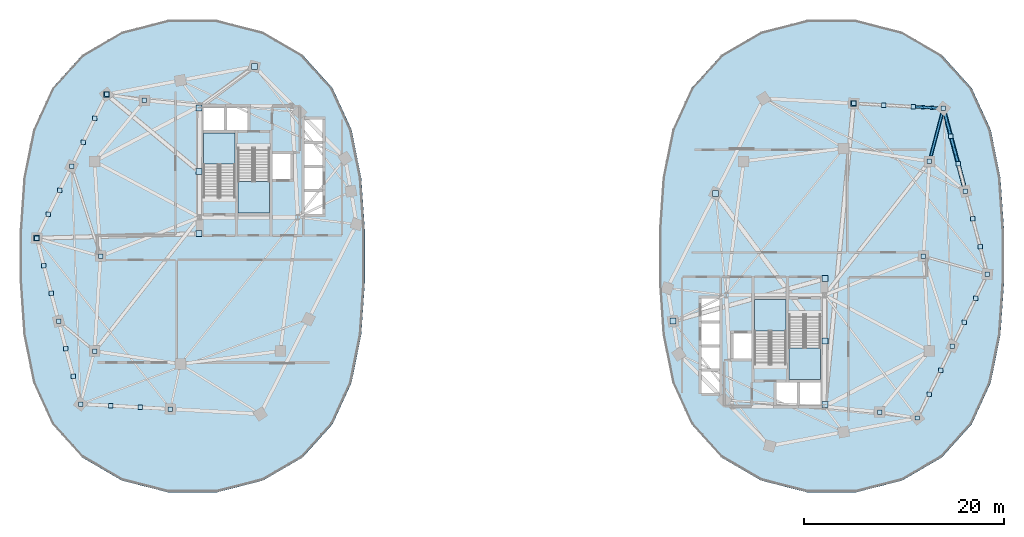
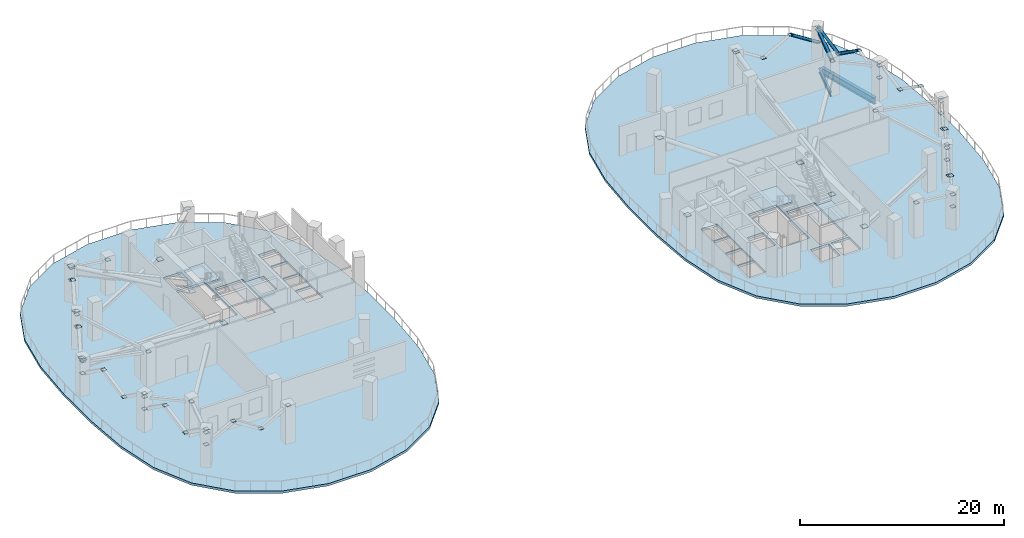
# One storey, part 4 of 13: 68 plates, 6 slabs, 4 members, 2 beams, 4 elements without a shape of their own.
"""IFC4 building model written with IfcOpenShell, lengths in metres."""

from ifc_helpers import new_model, si_unit, direction, frame, origin, origin_2d, place, context, subcontext, project, spatial, polyline, rectangle, hollow_rectangle, hollow_circle, i_section, outline, extrude, material, layer, layer_set, material_profile, profile_set, type_object, element, aggregate, save


model = new_model("IFC4")

# Units and contexts
model_context = context("Model", 3, precision=1e-05, world=origin(), true_north=direction((0.0, 1.0)))
body_context = subcontext(model_context, "Body", "Model", "MODEL_VIEW")
ifc_project = project(units=[si_unit("LENGTHUNIT", "METRE"), si_unit("AREAUNIT", "SQUARE_METRE"), si_unit("VOLUMEUNIT", "CUBIC_METRE"), si_unit("PLANEANGLEUNIT", "RADIAN"), si_unit("MASSUNIT", "GRAM", prefix="KILO"), si_unit("THERMODYNAMICTEMPERATUREUNIT", "KELVIN"), si_unit("POWERUNIT", "WATT")], contexts=[model_context])

# Site, building, storey
site_placement = place(None, origin())
site = spatial("IfcSite", under=ifc_project, at=site_placement, CompositionType="ELEMENT")
building_placement = place(site_placement, origin())
building = spatial("IfcBuilding", under=site, at=building_placement, Name="Cundina Bronze Exchange", CompositionType="ELEMENT")
storey_placement = place(building_placement, frame((0.0, 0.0, 77.199951171875)))
storey = spatial("IfcBuildingStorey", under=building, at=storey_placement, Name="L19", CompositionType="ELEMENT", Elevation=77.199951171875)

# Beams
ifc_material_1 = material(Name="Steel ASTM A992 Grade 50", Category="steel")
ifc_material_profile_1 = material_profile(ifc_material_1, i_section(OverallWidth=0.2099609375, OverallDepth=0.532958984375, WebThickness=0.01025390625, FlangeThickness=0.015625, FilletRadius=0.013916015625, at=origin_2d()), Name="W21X62", Category="steel")
ifc_profile_set_1 = profile_set([ifc_material_profile_1], Name="Steel ASTM A992 Grade 50")
beam_type_1 = type_object("IfcBeamType", Name="BM-FLR-W21B", PredefinedType="BEAM", material=ifc_profile_set_1)
beam_1_placement = place(storey_placement, frame((41.9375, 10.020263671875, -0.54638671875), z_axis=(0.255373327887, 0.966842522546, 0.0), x_axis=(-0.966842522546, 0.255373327887, 0.0)))
element("IfcBeam", 1, at=beam_1_placement, inside=storey, type_object=beam_type_1, Name="L19 Leg E Chordal Floor Beam 10", PredefinedType="BEAM", context=body_context, shape_type="SweptSolid", body=[
    extrude(i_section(OverallWidth=0.2099609375, OverallDepth=0.532958984375, WebThickness=0.01025390625, FlangeThickness=0.015625, FilletRadius=0.013916015625, at=origin_2d()), origin(), (0.0, 0.0, 1.0), 4.355712890625),
])
ifc_material_profile_2 = material_profile(ifc_material_1, i_section(OverallWidth=0.381103515625, OverallDepth=0.77294921875, WebThickness=0.0166015625, FlangeThickness=0.027099609375, FilletRadius=0.01904296875, at=origin_2d()), Name="W30X173", Category="steel")
ifc_profile_set_2 = profile_set([ifc_material_profile_2], Name="Steel ASTM A992 Grade 50")
beam_type_2 = type_object("IfcBeamType", Name="BM-RING-W30", PredefinedType="USERDEFINED", material=ifc_profile_set_2)
beam_2_placement = place(storey_placement, frame((45.249267578125, 7.068359375, -0.66650390625), z_axis=(-0.256208567826, 0.966621523541, 0.0), x_axis=(-0.966621523541, -0.256208567826, 0.0)))
element("IfcBeam", 2, at=beam_2_placement, inside=storey, type_object=beam_type_2, Name="L19 E Perimeter Ring Girder 09", ObjectType="GIRDER", PredefinedType="USERDEFINED", context=body_context, shape_type="SweptSolid", body=[
    extrude(i_section(OverallWidth=0.381103515625, OverallDepth=0.77294921875, WebThickness=0.0166015625, FlangeThickness=0.027099609375, FilletRadius=0.01904296875, at=origin_2d()), origin(), (0.0, 0.0, 1.0), 7.41064453125),
])

# Members
ifc_material_2 = material(Name="Steel ASTM A500 Grade C", Category="steel")
ifc_material_profile_3 = material_profile(ifc_material_2, hollow_circle(Radius=0.162109375, WallThickness=0.01611328125, at=origin_2d()), Name="CHS324X16", Category="steel")
ifc_profile_set_3 = profile_set([ifc_material_profile_3], Name="Steel ASTM A500 Grade C")
member_type_1 = type_object("IfcMemberType", Name="MBR-BLT-CHS324", PredefinedType="BRACE", material=ifc_profile_set_3)
member_1_placement = place(storey_placement, frame((44.666748046875, 9.2666015625, 4.260009765625), z_axis=(-0.215204153641, 0.811815402482, -0.542810210431), x_axis=(-0.966613315255, -0.256239533977, 0.0)))
element("IfcMember", 3, at=member_1_placement, inside=storey, type_object=member_type_1, Name="L19 E Perimeter Belt M-Truss Diagonal 3B", PredefinedType="BRACE", context=body_context, shape_type="SweptSolid", body=[
    extrude(hollow_circle(Radius=0.162109375, WallThickness=0.01611328125, at=origin_2d()), origin(), (0.0, 0.0, 1.0), 3.407958984375),
])
member_2_placement = place(storey_placement, frame((43.933349609375, 12.033203125, 2.41015625), z_axis=(-0.215191638379, 0.811839826148, 0.542778643142), x_axis=(-0.966618915213, -0.256218408303, 0.0)))
element("IfcMember", 4, at=member_2_placement, inside=storey, type_object=member_type_1, Name="L19 E Perimeter Belt M-Truss Diagonal 3C", PredefinedType="BRACE", context=body_context, shape_type="SweptSolid", body=[
    extrude(hollow_circle(Radius=0.162109375, WallThickness=0.01611328125, at=origin_2d()), origin(), (0.0, 0.0, 1.0), 3.408203125),
])
member_3_placement = place(storey_placement, frame((43.199951171875, 14.800048828125, 2.41015625), z_axis=(-0.850238396602, 0.04725853067, 0.524272162358), x_axis=(-0.055497021194, -0.998458852752, 0.0)))
element("IfcMember", 5, at=member_3_placement, inside=storey, type_object=member_type_1, Name="L19 E Perimeter Belt M-Truss Diagonal 5A", PredefinedType="BRACE", context=body_context, shape_type="SweptSolid", body=[
    extrude(hollow_circle(Radius=0.162109375, WallThickness=0.01611328125, at=origin_2d()), origin(), (0.0, 0.0, 1.0), 3.5283203125),
])
ifc_material_profile_4 = material_profile(ifc_material_2, hollow_rectangle(XDim=0.300048828125, YDim=0.300048828125, WallThickness=0.01611328125, at=origin_2d()), Name="HSS300X300X16", Category="steel")
ifc_profile_set_4 = profile_set([ifc_material_profile_4], Name="Steel ASTM A500 Grade C")
member_type_2 = type_object("IfcMemberType", Name="MBR-BLT-HSS300", PredefinedType="STRUT", material=ifc_profile_set_4)
member_4_placement = place(storey_placement, frame((41.800048828125, 9.5, 3.85009765625), z_axis=(0.255372270734, 0.966842801773, 0.0), x_axis=(-0.966842801773, 0.255372270734, 0.0)))
element("IfcMember", 6, at=member_4_placement, inside=storey, type_object=member_type_2, Name="L19 E Outrigger Collector Strut 5", PredefinedType="STRUT", context=body_context, shape_type="SweptSolid", body=[
    extrude(hollow_rectangle(XDim=0.300048828125, YDim=0.300048828125, WallThickness=0.01611328125, at=origin_2d()), origin(), (0.0, 0.0, 1.0), 5.481689453125),
])

# Plates
ifc_material_3 = material(Name="Steel ASTM A572 Grade 50", Category="steel")
ifc_layer_1 = layer(ifc_material_3, 0.02001953125, Name="Steel ASTM A572 Grade 50", Category="steel")
ifc_layer_set_1 = layer_set([ifc_layer_1], Name="Steel ASTM A572 Grade 50")
plate_type_1 = type_object("IfcPlateType", Name="PLT-CAP-STL20", PredefinedType="USERDEFINED", material=ifc_layer_set_1)
for number, where, z_axis, x_axis, name in (
    (7, (-47.60009765625, 1.800048828125, 2.400146484375), (0.0, 0.0, 1.0), (1.0, 0.0, 0.0), "L19 W Perimeter Belt M-Truss Diagonal 1A End Cap Plate 1"),
    (8, (-46.86669921875, -0.966796875, 4.25), (0.0, 0.0, 1.0), (1.0, 0.0, 0.0), "L19 W Perimeter Belt M-Truss Diagonal 1A End Cap Plate 2"),
    (9, (-46.13330078125, -3.7333984375, 2.400146484375), (0.0, 0.0, 1.0), (1.0, 0.0, 0.0), "L19 W Perimeter Belt M-Truss Diagonal 1B End Cap Plate 2"),
    (10, (-45.39990234375, -6.5, 4.25), (0.0, 0.0, 1.0), (1.0, 0.0, 0.0), "L19 W Perimeter Belt M-Truss Diagonal 1C End Cap Plate 2"),
    (11, (-41.199951171875, 0.0, 3.840087890625), (0.0, 0.0, 1.0), (1.0, 0.0, 0.0), "L19 W Outrigger Collector Strut 1 End Cap Plate 1"),
    (12, (-47.60009765625, 1.800048828125, 3.840087890625), (0.0, 0.0, 1.0), (1.0, 0.0, 0.0), "L19 W Outrigger Collector Strut 1 End Cap Plate 2"),
    (13, (-44.10009765625, 9.0, 2.400146484375), (0.0, 0.0, 1.0), (1.0, 0.0, 0.0), "L19 W Perimeter Belt M-Truss Diagonal 2A End Cap Plate 1"),
    (14, (-45.2666015625, 6.60009765625, 4.25), (0.0, 0.0, 1.0), (1.0, 0.0, 0.0), "L19 W Perimeter Belt M-Truss Diagonal 2A End Cap Plate 2"),
    (15, (-46.433349609375, 4.199951171875, 2.400146484375), (0.0, 0.0, 1.0), (1.0, 0.0, 0.0), "L19 W Perimeter Belt M-Truss Diagonal 2B End Cap Plate 2"),
    (16, (-47.60009765625, 1.800048828125, 4.25), (0.0, 0.0, 1.0), (1.0, 0.0, 0.0), "L19 W Perimeter Belt M-Truss Diagonal 2C End Cap Plate 2"),
    (17, (-44.10009765625, 9.0, 3.840087890625), (0.0, 0.0, 1.0), (1.0, 0.0, 0.0), "L19 W Outrigger Collector Strut 2 End Cap Plate 2"),
    (18, (-45.39990234375, -6.5, 2.400146484375), (0.0, 0.0, 1.0), (1.0, 0.0, 0.0), "L19 W Perimeter Belt M-Truss Diagonal 3A End Cap Plate 1"),
    (19, (-44.666748046875, -9.2666015625, 4.25), (0.0, 0.0, 1.0), (1.0, 0.0, 0.0), "L19 W Perimeter Belt M-Truss Diagonal 3A End Cap Plate 2"),
    (20, (-43.933349609375, -12.033203125, 2.400146484375), (0.0, 0.0, 1.0), (1.0, 0.0, 0.0), "L19 W Perimeter Belt M-Truss Diagonal 3B End Cap Plate 2"),
    (21, (-43.199951171875, -14.800048828125, 4.25), (0.0, 0.0, 1.0), (1.0, 0.0, 0.0), "L19 W Perimeter Belt M-Truss Diagonal 3C End Cap Plate 2"),
    (22, (-41.800048828125, -9.5, 3.840087890625), (0.0, 0.0, 1.0), (1.0, 0.0, 0.0), "L19 W Outrigger Collector Strut 3 End Cap Plate 1"),
    (23, (-45.39990234375, -6.5, 3.840087890625), (0.0, 0.0, 1.0), (1.0, 0.0, 0.0), "L19 W Outrigger Collector Strut 3 End Cap Plate 2"),
    (24, (-40.60009765625, 16.199951171875, 2.400146484375), (0.0, 0.0, 1.0), (1.0, 0.0, 0.0), "L19 W Perimeter Belt M-Truss Diagonal 4A End Cap Plate 1"),
    (25, (-41.7666015625, 13.800048828125, 4.25), (0.0, 0.0, 1.0), (1.0, 0.0, 0.0), "L19 W Perimeter Belt M-Truss Diagonal 4A End Cap Plate 2"),
    (26, (-42.933349609375, 11.39990234375, 2.400146484375), (0.0, 0.0, 1.0), (1.0, 0.0, 0.0), "L19 W Perimeter Belt M-Truss Diagonal 4B End Cap Plate 2"),
    (27, (-44.10009765625, 9.0, 4.25), (0.0, 0.0, 1.0), (1.0, 0.0, 0.0), "L19 W Perimeter Belt M-Truss Diagonal 4C End Cap Plate 2"),
    (28, (-36.800048828125, 15.60009765625, 3.840087890625), (0.0, 0.0, 1.0), (1.0, 0.0, 0.0), "L19 W Outrigger Collector Strut 4 End Cap Plate 1"),
    (29, (-40.60009765625, 16.199951171875, 3.840087890625), (0.0, 0.0, 1.0), (1.0, 0.0, 0.0), "L19 W Outrigger Collector Strut 4 End Cap Plate 2"),
    (30, (-43.199951171875, -14.800048828125, 2.400146484375), (0.0, 0.0, 1.0), (1.0, 0.0, 0.0), "L19 W Perimeter Belt M-Truss Diagonal 5A End Cap Plate 1"),
    (31, (-40.199951171875, -14.966796875, 4.25), (0.0, 0.0, 1.0), (1.0, 0.0, 0.0), "L19 W Perimeter Belt M-Truss Diagonal 5A End Cap Plate 2"),
    (32, (-37.199951171875, -15.13330078125, 2.400146484375), (0.0, 0.0, 1.0), (1.0, 0.0, 0.0), "L19 W Perimeter Belt M-Truss Diagonal 5B End Cap Plate 2"),
    (33, (-34.199951171875, -15.300048828125, 4.25), (0.0, 0.0, 1.0), (1.0, 0.0, 0.0), "L19 W Perimeter Belt M-Truss Diagonal 5C End Cap Plate 2"),
    (34, (-43.199951171875, -14.800048828125, 3.840087890625), (0.0, 0.0, 1.0), (1.0, 0.0, 0.0), "L19 W Outrigger Collector Strut 5 End Cap Plate 2"),
    (35, (47.60009765625, -1.800048828125, 2.400146484375), (0.0, 0.0, 1.0), (1.0, 0.0, 0.0), "L19 E Perimeter Belt M-Truss Diagonal 1A End Cap Plate 1"),
    (36, (46.86669921875, 0.966796875, 4.25), (0.0, 0.0, 1.0), (1.0, 0.0, 0.0), "L19 E Perimeter Belt M-Truss Diagonal 1A End Cap Plate 2"),
    (37, (46.13330078125, 3.7333984375, 2.400146484375), (0.0, 0.0, 1.0), (1.0, 0.0, 0.0), "L19 E Perimeter Belt M-Truss Diagonal 1B End Cap Plate 2"),
    (38, (45.39990234375, 6.5, 4.25), (0.0, 0.0, 1.0), (1.0, 0.0, 0.0), "L19 E Perimeter Belt M-Truss Diagonal 1C End Cap Plate 2"),
    (39, (41.199951171875, 0.0, 3.840087890625), (0.0, 0.0, 1.0), (1.0, 0.0, 0.0), "L19 E Outrigger Collector Strut 1 End Cap Plate 1"),
    (40, (47.60009765625, -1.800048828125, 3.840087890625), (0.0, 0.0, 1.0), (1.0, 0.0, 0.0), "L19 E Outrigger Collector Strut 1 End Cap Plate 2"),
    (41, (44.10009765625, -9.0, 2.400146484375), (0.0, 0.0, 1.0), (1.0, 0.0, 0.0), "L19 E Perimeter Belt M-Truss Diagonal 2A End Cap Plate 1"),
    (42, (45.2666015625, -6.60009765625, 4.25), (0.0, 0.0, 1.0), (1.0, 0.0, 0.0), "L19 E Perimeter Belt M-Truss Diagonal 2A End Cap Plate 2"),
    (43, (46.433349609375, -4.199951171875, 2.400146484375), (0.0, 0.0, 1.0), (1.0, 0.0, 0.0), "L19 E Perimeter Belt M-Truss Diagonal 2B End Cap Plate 2"),
    (44, (47.60009765625, -1.800048828125, 4.25), (0.0, 0.0, 1.0), (1.0, 0.0, 0.0), "L19 E Perimeter Belt M-Truss Diagonal 2C End Cap Plate 2"),
    (45, (44.10009765625, -9.0, 3.840087890625), (0.0, 0.0, 1.0), (1.0, 0.0, 0.0), "L19 E Outrigger Collector Strut 2 End Cap Plate 2"),
    (46, (45.39990234375, 6.5, 2.400146484375), (0.0, 0.0, 1.0), (1.0, 0.0, 0.0), "L19 E Perimeter Belt M-Truss Diagonal 3A End Cap Plate 1"),
    (47, (44.666748046875, 9.2666015625, 4.25), (0.0, 0.0, 1.0), (1.0, 0.0, 0.0), "L19 E Perimeter Belt M-Truss Diagonal 3A End Cap Plate 2"),
    (48, (43.933349609375, 12.033203125, 2.400146484375), (0.0, 0.0, 1.0), (1.0, 0.0, 0.0), "L19 E Perimeter Belt M-Truss Diagonal 3B End Cap Plate 2"),
    (49, (43.199951171875, 14.800048828125, 4.25), (0.0, 0.0, 1.0), (1.0, 0.0, 0.0), "L19 E Perimeter Belt M-Truss Diagonal 3C End Cap Plate 2"),
    (50, (41.800048828125, 9.5, 3.840087890625), (0.0, 0.0, 1.0), (1.0, 0.0, 0.0), "L19 E Outrigger Collector Strut 3 End Cap Plate 1"),
    (51, (45.39990234375, 6.5, 3.840087890625), (0.0, 0.0, 1.0), (1.0, 0.0, 0.0), "L19 E Outrigger Collector Strut 3 End Cap Plate 2"),
    (52, (40.60009765625, -16.199951171875, 2.400146484375), (0.0, 0.0, 1.0), (1.0, 0.0, 0.0), "L19 E Perimeter Belt M-Truss Diagonal 4A End Cap Plate 1"),
    (53, (41.7666015625, -13.800048828125, 4.25), (0.0, 0.0, 1.0), (1.0, 0.0, 0.0), "L19 E Perimeter Belt M-Truss Diagonal 4A End Cap Plate 2"),
    (54, (42.933349609375, -11.39990234375, 2.400146484375), (0.0, 0.0, 1.0), (1.0, 0.0, 0.0), "L19 E Perimeter Belt M-Truss Diagonal 4B End Cap Plate 2"),
    (55, (44.10009765625, -9.0, 4.25), (0.0, 0.0, 1.0), (1.0, 0.0, 0.0), "L19 E Perimeter Belt M-Truss Diagonal 4C End Cap Plate 2"),
    (56, (36.800048828125, -15.60009765625, 3.840087890625), (0.0, 0.0, 1.0), (1.0, 0.0, 0.0), "L19 E Outrigger Collector Strut 4 End Cap Plate 1"),
    (57, (40.60009765625, -16.199951171875, 3.840087890625), (0.0, 0.0, 1.0), (1.0, 0.0, 0.0), "L19 E Outrigger Collector Strut 4 End Cap Plate 2"),
    (58, (43.199951171875, 14.800048828125, 2.400146484375), (0.0, 0.0, 1.0), (1.0, 0.0, 0.0), "L19 E Perimeter Belt M-Truss Diagonal 5A End Cap Plate 1"),
    (59, (40.199951171875, 14.966796875, 4.25), (0.0, 0.0, 1.0), (1.0, 0.0, 0.0), "L19 E Perimeter Belt M-Truss Diagonal 5A End Cap Plate 2"),
    (60, (37.199951171875, 15.13330078125, 2.400146484375), (0.0, 0.0, 1.0), (1.0, 0.0, 0.0), "L19 E Perimeter Belt M-Truss Diagonal 5B End Cap Plate 2"),
    (61, (34.199951171875, 15.300048828125, 4.25), (0.0, 0.0, 1.0), (1.0, 0.0, 0.0), "L19 E Perimeter Belt M-Truss Diagonal 5C End Cap Plate 2"),
    (62, (43.199951171875, 14.800048828125, 3.840087890625), (0.0, 0.0, 1.0), (1.0, 0.0, 0.0), "L19 E Outrigger Collector Strut 5 End Cap Plate 2"),
):
    element("IfcPlate", number, at=place(storey_placement, frame(where, z_axis=z_axis, x_axis=x_axis)), inside=storey, type_object=plate_type_1, Name=name, ObjectType="STIFFENER_PLATE", PredefinedType="USERDEFINED", context=body_context, shape_type="SweptSolid", body=[
        extrude(rectangle(XDim=0.449951171875, YDim=0.449951171875, at=origin_2d()), origin(), (0.0, 0.0, 1.0), 0.02001953125),
    ])
ifc_layer_2 = layer(ifc_material_3, 0.02490234375, Name="Steel ASTM A572 Grade 50", Category="steel")
ifc_layer_set_2 = layer_set([ifc_layer_2], Name="Steel ASTM A572 Grade 50")
plate_type_2 = type_object("IfcPlateType", Name="PLT-CAP-STL25", PredefinedType="USERDEFINED", material=ifc_layer_set_2)
for number, where, z_axis, x_axis, name in (
    (63, (-31.35009765625, 14.85009765625, 2.4375), (0.0, 0.0, 1.0), (1.0, 0.0, 0.0), "L19 W Outrigger Truss Diagonal 1 End Cap Plate 1"),
    (64, (-25.800048828125, 19.0, 4.087646484375), (0.0, 0.0, 1.0), (1.0, 0.0, 0.0), "L19 W Outrigger Truss Diagonal 1 End Cap Plate 2"),
    (65, (-31.35009765625, 8.5, 2.4375), (0.0, 0.0, 1.0), (1.0, 0.0, 0.0), "L19 W Outrigger Truss Diagonal 2 End Cap Plate 1"),
    (66, (-40.60009765625, 16.199951171875, 4.087646484375), (0.0, 0.0, 1.0), (1.0, 0.0, 0.0), "L19 W Outrigger Truss Diagonal 2 End Cap Plate 2"),
    (67, (-31.35009765625, 2.25, 2.4375), (0.0, 0.0, 1.0), (1.0, 0.0, 0.0), "L19 W Outrigger Truss Diagonal 3 End Cap Plate 1"),
    (68, (-47.60009765625, 1.800048828125, 4.087646484375), (0.0, 0.0, 1.0), (1.0, 0.0, 0.0), "L19 W Outrigger Truss Diagonal 3 End Cap Plate 2"),
    (69, (31.35009765625, -14.85009765625, 2.4375), (0.0, 0.0, 1.0), (1.0, 0.0, 0.0), "L19 E Outrigger Truss Diagonal 1 End Cap Plate 1"),
    (70, (34.199951171875, 15.300048828125, 4.087646484375), (0.0, 0.0, 1.0), (1.0, 0.0, 0.0), "L19 E Outrigger Truss Diagonal 1 End Cap Plate 2"),
    (71, (31.35009765625, -8.5, 2.4375), (0.0, 0.0, 1.0), (1.0, 0.0, 0.0), "L19 E Outrigger Truss Diagonal 2 End Cap Plate 1"),
    (72, (20.375, 6.300048828125, 4.087646484375), (0.0, 0.0, 1.0), (1.0, 0.0, 0.0), "L19 E Outrigger Truss Diagonal 2 End Cap Plate 2"),
    (73, (31.35009765625, -2.25, 2.4375), (0.0, 0.0, 1.0), (1.0, 0.0, 0.0), "L19 E Outrigger Truss Diagonal 3 End Cap Plate 1"),
    (74, (16.125, -6.5, 4.087646484375), (0.0, 0.0, 1.0), (1.0, 0.0, 0.0), "L19 E Outrigger Truss Diagonal 3 End Cap Plate 2"),
):
    element("IfcPlate", number, at=place(storey_placement, frame(where, z_axis=z_axis, x_axis=x_axis)), inside=storey, type_object=plate_type_2, Name=name, ObjectType="STIFFENER_PLATE", PredefinedType="USERDEFINED", context=body_context, shape_type="SweptSolid", body=[
        extrude(rectangle(XDim=0.60009765625, YDim=0.60009765625, at=origin_2d()), origin(), (0.0, 0.0, 1.0), 0.02490234375),
    ])

# Stair, slab
ifc_material_4 = material(Name="Concrete C40/50", Category="concrete")
stair_type = type_object("IfcStairType", Name="STR-REF-460", PredefinedType="HALF_TURN_STAIR", material=ifc_material_4)
stair_1_placement = place(storey_placement, origin())
stair_1 = element("IfcStair", 75, at=stair_1_placement, inside=storey, type_object=stair_type, Name="L19 Smokeproof Exit Stair W1", PredefinedType="HALF_TURN_STAIR")
ifc_layer_3 = layer(ifc_material_4, 0.199951171875, Name="Concrete C40/50", Category="concrete")
ifc_layer_set_3 = layer_set([ifc_layer_3], Name="Concrete C40/50")
slab_type_1 = type_object("IfcSlabType", Name="SLB-LND-200", PredefinedType="LANDING", material=ifc_layer_set_3)
slab_1_placement = place(storey_placement, frame((0.0, 0.0, 2.10009765625)))
slab_1 = element("IfcSlab", 76, at=slab_1_placement, type_object=slab_type_1, Name="ST-W1 landing 1", PredefinedType="LANDING", context=body_context, shape_type="SweptSolid", body=[
    extrude(outline(polyline([(-27.739990234375, 9.2099609375), (-27.739990234375, 12.35009765625), (-30.89990234375, 12.35009765625), (-30.89990234375, 9.2099609375), (-27.739990234375, 9.2099609375)])), origin(), (0.0, 0.0, 1.0), 0.199951171875),
])
aggregate(stair_1, [slab_1])

stair_2_placement = place(storey_placement, origin())
stair_2 = element("IfcStair", 77, at=stair_2_placement, inside=storey, type_object=stair_type, Name="L19 Smokeproof Exit Stair W2", PredefinedType="HALF_TURN_STAIR")
slab_2_placement = place(storey_placement, frame((0.0, 0.0, 2.10009765625)))
slab_2 = element("IfcSlab", 78, at=slab_2_placement, type_object=slab_type_1, Name="ST-W2 landing 1", PredefinedType="LANDING", context=body_context, shape_type="SweptSolid", body=[
    extrude(outline(polyline([(-27.43994140625, 7.489990234375), (-27.43994140625, 4.35009765625), (-24.280029296875, 4.35009765625), (-24.280029296875, 7.489990234375), (-27.43994140625, 7.489990234375)])), origin(), (0.0, 0.0, 1.0), 0.199951171875),
])
aggregate(stair_2, [slab_2])

stair_3_placement = place(storey_placement, origin())
stair_3 = element("IfcStair", 79, at=stair_3_placement, inside=storey, type_object=stair_type, Name="L19 Smokeproof Exit Stair E1", PredefinedType="HALF_TURN_STAIR")
slab_3_placement = place(storey_placement, frame((0.0, 0.0, 2.10009765625)))
slab_3 = element("IfcSlab", 80, at=slab_3_placement, type_object=slab_type_1, Name="ST-E1 landing 1", PredefinedType="LANDING", context=body_context, shape_type="SweptSolid", body=[
    extrude(outline(polyline([(27.739990234375, -9.2099609375), (27.739990234375, -12.35009765625), (30.89990234375, -12.35009765625), (30.89990234375, -9.2099609375), (27.739990234375, -9.2099609375)])), origin(), (0.0, 0.0, 1.0), 0.199951171875),
])
aggregate(stair_3, [slab_3])

stair_4_placement = place(storey_placement, origin())
stair_4 = element("IfcStair", 81, at=stair_4_placement, inside=storey, type_object=stair_type, Name="L19 Smokeproof Exit Stair E2", PredefinedType="HALF_TURN_STAIR")
slab_4_placement = place(storey_placement, frame((0.0, 0.0, 2.10009765625)))
slab_4 = element("IfcSlab", 82, at=slab_4_placement, type_object=slab_type_1, Name="ST-E2 landing 1", PredefinedType="LANDING", context=body_context, shape_type="SweptSolid", body=[
    extrude(outline(polyline([(27.43994140625, -7.489990234375), (27.43994140625, -4.35009765625), (24.280029296875, -4.35009765625), (24.280029296875, -7.489990234375), (27.43994140625, -7.489990234375)])), origin(), (0.0, 0.0, 1.0), 0.199951171875),
])
aggregate(stair_4, [slab_4])

# Slabs
ifc_material_5 = material(Name="Concrete C50/60", Category="concrete")
ifc_layer_4 = layer(ifc_material_5, 0.280029296875, Name="Concrete C50/60", Category="concrete")
ifc_layer_set_4 = layer_set([ifc_layer_4], Name="Concrete C50/60")
slab_type_2 = type_object("IfcSlabType", Name="SLB-REF-280", PredefinedType="FLOOR", material=ifc_layer_set_4)
slab_5_placement = place(storey_placement, frame((0.0, 0.0, -0.280029296875)))
element("IfcSlab", 83, at=slab_5_placement, inside=storey, type_object=slab_type_2, Name="L19 Leg W Structural Floor Slab", PredefinedType="FLOOR", context=body_context, shape_type="SweptSolid", body=[
    extrude(outline(polyline([(-14.738037109375, 2.6650390625), (-15.094970703125, 7.861083984375), (-16.06494140625, 12.662109375), (-17.968017578125, 16.8291015625), (-20.9619140625, 20.152099609375), (-24.93798828125, 22.464111328125), (-29.570068359375, 23.64990234375), (-34.429931640625, 23.64990234375), (-39.06201171875, 22.464111328125), (-43.0380859375, 20.152099609375), (-46.031982421875, 16.8291015625), (-47.93505859375, 12.662109375), (-48.905029296875, 7.861083984375), (-49.261962890625, 2.6650390625), (-49.261962890625, -2.6650390625), (-48.905029296875, -7.861083984375), (-47.93505859375, -12.662109375), (-46.031982421875, -16.8291015625), (-43.0380859375, -20.152099609375), (-39.06201171875, -22.464111328125), (-34.429931640625, -23.64990234375), (-29.570068359375, -23.64990234375), (-24.93798828125, -22.464111328125), (-20.9619140625, -20.152099609375), (-17.968017578125, -16.8291015625), (-16.06494140625, -12.662109375), (-15.094970703125, -7.861083984375), (-14.738037109375, -2.6650390625), (-14.738037109375, 2.6650390625)]), holes=[polyline([(-27.739990234375, 5.85009765625), (-27.739990234375, 12.35009765625), (-30.89990234375, 12.35009765625), (-30.89990234375, 5.85009765625), (-27.739990234375, 5.85009765625)]), polyline([(-27.43994140625, 10.85009765625), (-27.43994140625, 4.35009765625), (-24.280029296875, 4.35009765625), (-24.280029296875, 10.85009765625), (-27.43994140625, 10.85009765625)]), polyline([(-23.97998046875, 10.25), (-22.179931640625, 10.25), (-22.179931640625, 7.75), (-23.97998046875, 7.75), (-23.97998046875, 10.25)]), polyline([(-30.89990234375, 14.949951171875), (-28.85009765625, 14.949951171875), (-28.85009765625, 12.64990234375), (-30.89990234375, 12.64990234375), (-30.89990234375, 14.949951171875)]), polyline([(-28.550048828125, 14.949951171875), (-26.5, 14.949951171875), (-26.5, 12.64990234375), (-28.550048828125, 12.64990234375), (-28.550048828125, 14.949951171875)]), polyline([(-20.800048828125, 13.699951171875), (-18.949951171875, 13.699951171875), (-18.949951171875, 11.449951171875), (-20.800048828125, 11.449951171875), (-20.800048828125, 13.699951171875)]), polyline([(-20.800048828125, 11.300048828125), (-18.949951171875, 11.300048828125), (-18.949951171875, 9.050048828125), (-20.800048828125, 9.050048828125), (-20.800048828125, 11.300048828125)]), polyline([(-20.800048828125, 8.89990234375), (-18.949951171875, 8.89990234375), (-18.949951171875, 6.64990234375), (-20.800048828125, 6.64990234375), (-20.800048828125, 8.89990234375)]), polyline([(-20.800048828125, 6.5), (-18.949951171875, 6.5), (-18.949951171875, 4.25), (-20.800048828125, 4.25), (-20.800048828125, 6.5)])]), origin(), (0.0, 0.0, 1.0), 0.280029296875),
])
slab_6_placement = place(storey_placement, frame((0.0, 0.0, -0.280029296875)))
element("IfcSlab", 84, at=slab_6_placement, inside=storey, type_object=slab_type_2, Name="L19 Leg E Structural Floor Slab", PredefinedType="FLOOR", context=body_context, shape_type="SweptSolid", body=[
    extrude(outline(polyline([(49.261962890625, 2.6650390625), (48.905029296875, 7.861083984375), (47.93505859375, 12.662109375), (46.031982421875, 16.8291015625), (43.0380859375, 20.152099609375), (39.06201171875, 22.464111328125), (34.429931640625, 23.64990234375), (29.570068359375, 23.64990234375), (24.93798828125, 22.464111328125), (20.9619140625, 20.152099609375), (17.968017578125, 16.8291015625), (16.06494140625, 12.662109375), (15.094970703125, 7.861083984375), (14.738037109375, 2.6650390625), (14.738037109375, -2.6650390625), (15.094970703125, -7.861083984375), (16.06494140625, -12.662109375), (17.968017578125, -16.8291015625), (20.9619140625, -20.152099609375), (24.93798828125, -22.464111328125), (29.570068359375, -23.64990234375), (34.429931640625, -23.64990234375), (39.06201171875, -22.464111328125), (43.0380859375, -20.152099609375), (46.031982421875, -16.8291015625), (47.93505859375, -12.662109375), (48.905029296875, -7.861083984375), (49.261962890625, -2.6650390625), (49.261962890625, 2.6650390625)]), holes=[polyline([(27.739990234375, -5.85009765625), (27.739990234375, -12.35009765625), (30.89990234375, -12.35009765625), (30.89990234375, -5.85009765625), (27.739990234375, -5.85009765625)]), polyline([(27.43994140625, -10.85009765625), (27.43994140625, -4.35009765625), (24.280029296875, -4.35009765625), (24.280029296875, -10.85009765625), (27.43994140625, -10.85009765625)]), polyline([(22.179931640625, -7.75), (23.97998046875, -7.75), (23.97998046875, -10.25), (22.179931640625, -10.25), (22.179931640625, -7.75)]), polyline([(28.85009765625, -12.64990234375), (30.89990234375, -12.64990234375), (30.89990234375, -14.949951171875), (28.85009765625, -14.949951171875), (28.85009765625, -12.64990234375)]), polyline([(26.5, -12.64990234375), (28.550048828125, -12.64990234375), (28.550048828125, -14.949951171875), (26.5, -14.949951171875), (26.5, -12.64990234375)]), polyline([(18.949951171875, -11.449951171875), (20.800048828125, -11.449951171875), (20.800048828125, -13.699951171875), (18.949951171875, -13.699951171875), (18.949951171875, -11.449951171875)]), polyline([(18.949951171875, -9.050048828125), (20.800048828125, -9.050048828125), (20.800048828125, -11.300048828125), (18.949951171875, -11.300048828125), (18.949951171875, -9.050048828125)]), polyline([(18.949951171875, -6.64990234375), (20.800048828125, -6.64990234375), (20.800048828125, -8.89990234375), (18.949951171875, -8.89990234375), (18.949951171875, -6.64990234375)]), polyline([(18.949951171875, -4.25), (20.800048828125, -4.25), (20.800048828125, -6.5), (18.949951171875, -6.5), (18.949951171875, -4.25)])]), origin(), (0.0, 0.0, 1.0), 0.280029296875),
])

save(model, "model.ifc")
